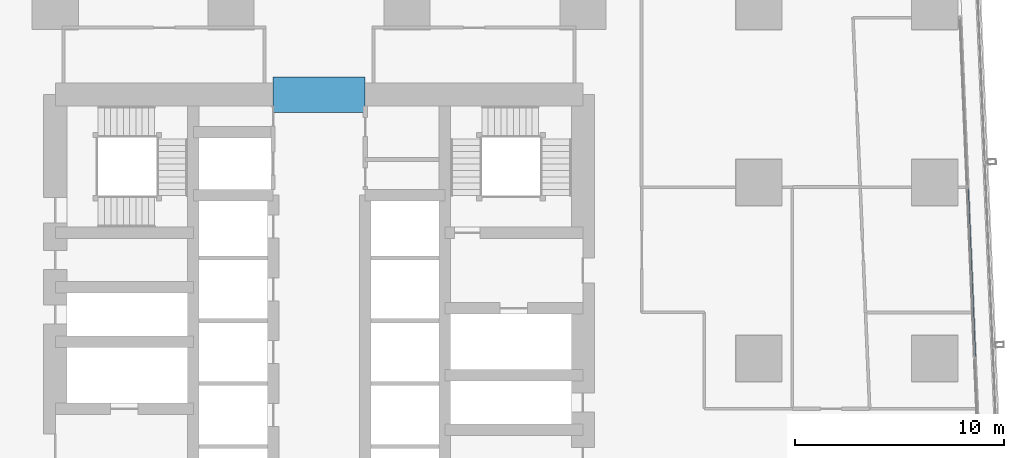
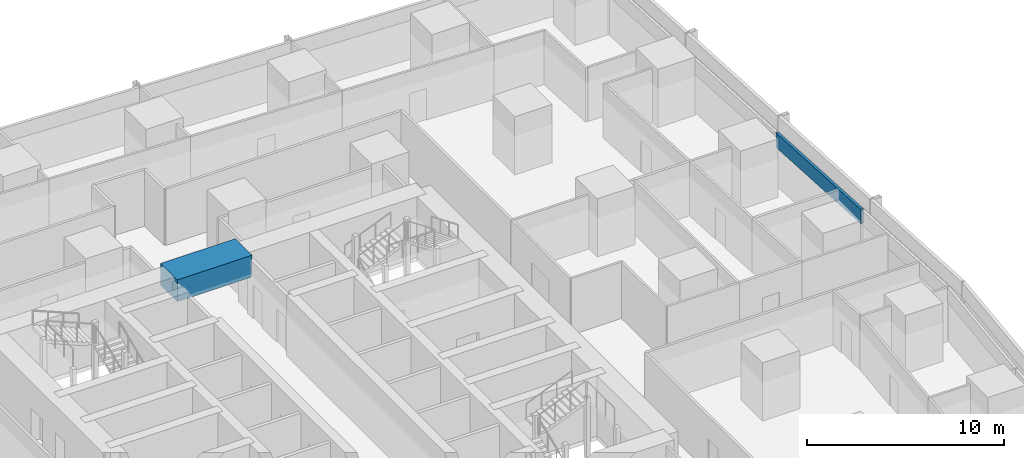
# One storey, part 19 of 44: 1 beam, 1 member, 1 element without a shape of its own.
"""IFC4 building model written with IfcOpenShell, lengths in metres."""

from ifc_helpers import new_model, si_unit, direction, frame, origin, origin_2d, place, context, subcontext, project, spatial, rectangle, hollow_rectangle, extrude, material, material_profile, profile_set, type_object, element, aggregate, save


model = new_model("IFC4")

# Units and contexts
model_context = context("Model", 3, precision=1e-05, world=origin(), true_north=direction((0.0, 1.0)))
body_context = subcontext(model_context, "Body", "Model", "MODEL_VIEW")
ifc_project = project(units=[si_unit("LENGTHUNIT", "METRE"), si_unit("AREAUNIT", "SQUARE_METRE"), si_unit("VOLUMEUNIT", "CUBIC_METRE"), si_unit("PLANEANGLEUNIT", "RADIAN"), si_unit("MASSUNIT", "GRAM", prefix="KILO")], contexts=[model_context])

# Site, building, storey
site_placement = place(None, origin())
site = spatial("IfcSite", under=ifc_project, at=site_placement, CompositionType="ELEMENT")
building_placement = place(site_placement, origin())
building = spatial("IfcBuilding", under=site, at=building_placement, Name="Rekha Terrace Tower", CompositionType="ELEMENT")
storey_placement = place(building_placement, frame((0.0, 0.0, 62.89990234375)))
storey = spatial("IfcBuildingStorey", under=building, at=storey_placement, Name="L15", CompositionType="ELEMENT", Elevation=62.89990234375)

# Curtain wall, member
ifc_material_1 = material(Name="Aluminium framing", Category="aluminium")
curtain_wall_type = type_object("IfcCurtainWallType", Name="CW1 double skin inner glazing", PredefinedType="USERDEFINED", material=ifc_material_1)
curtain_wall_placement = place(storey_placement, origin())
curtain_wall = element("IfcCurtainWall", 1, at=curtain_wall_placement, inside=storey, type_object=curtain_wall_type, Name="CW1 double skin inner glazing", ObjectType="DOUBLE SKIN INNER GLAZING", PredefinedType="USERDEFINED")
ifc_material_2 = material(Name="Insulated aluminium spandrel box", Category="aluminium")
ifc_material_profile_1 = material_profile(ifc_material_2, hollow_rectangle(XDim=0.14990234375, YDim=0.89990234375, WallThickness=0.0029296875, at=origin_2d()), Name="AL SPANDREL BOX 150x900")
ifc_profile_set_1 = profile_set([ifc_material_profile_1], Name="Insulated aluminium spandrel box")
member_type = type_object("IfcMemberType", Name="CW1 spandrel transom 150 x 900", PredefinedType="USERDEFINED", material=ifc_profile_set_1)
member_placement = place(storey_placement, frame((69.08935546875, 33.682861328125, 3.050048828125), z_axis=(-0.042698394831, 0.999088007674, 0.0), x_axis=(-0.999088007674, -0.042698394831, 0.0)))
member = element("IfcMember", 2, at=member_placement, type_object=member_type, Name="CW1 spandrel transom 2", ObjectType="TRANSOM", PredefinedType="USERDEFINED", context=body_context, shape_type="SweptSolid", body=[
    extrude(hollow_rectangle(XDim=0.14990234375, YDim=0.89990234375, WallThickness=0.0029296875, at=origin_2d()), origin(), (0.0, 0.0, 1.0), 8.073486328125),
])
aggregate(curtain_wall, [member])

# Beam
ifc_material_3 = material(Name="Concrete M70", Category="concrete")
ifc_material_profile_2 = material_profile(ifc_material_3, rectangle(XDim=1.699951171875, YDim=1.35009765625, at=origin_2d()), Name="RC 1700x1350")
ifc_profile_set_2 = profile_set([ifc_material_profile_2], Name="Concrete M70")
beam_type = type_object("IfcBeamType", Name="LB1A 1700x1350 diagonally reinforced coupling beam", PredefinedType="LINTEL", material=ifc_profile_set_2)
beam_placement = place(storey_placement, frame((35.60009765625, 46.199951171875, 3.0751953125), z_axis=(1.0, 0.0, 0.0), x_axis=(0.0, 1.0, 0.0)))
element("IfcBeam", 3, at=beam_placement, inside=storey, type_object=beam_type, Name="Coupling beam LB1A N L15", PredefinedType="LINTEL", context=body_context, shape_type="SweptSolid", body=[
    extrude(rectangle(XDim=1.699951171875, YDim=1.35009765625, at=origin_2d()), origin(), (0.0, 0.0, 1.0), 4.39990234375),
])

save(model, "model.ifc")
